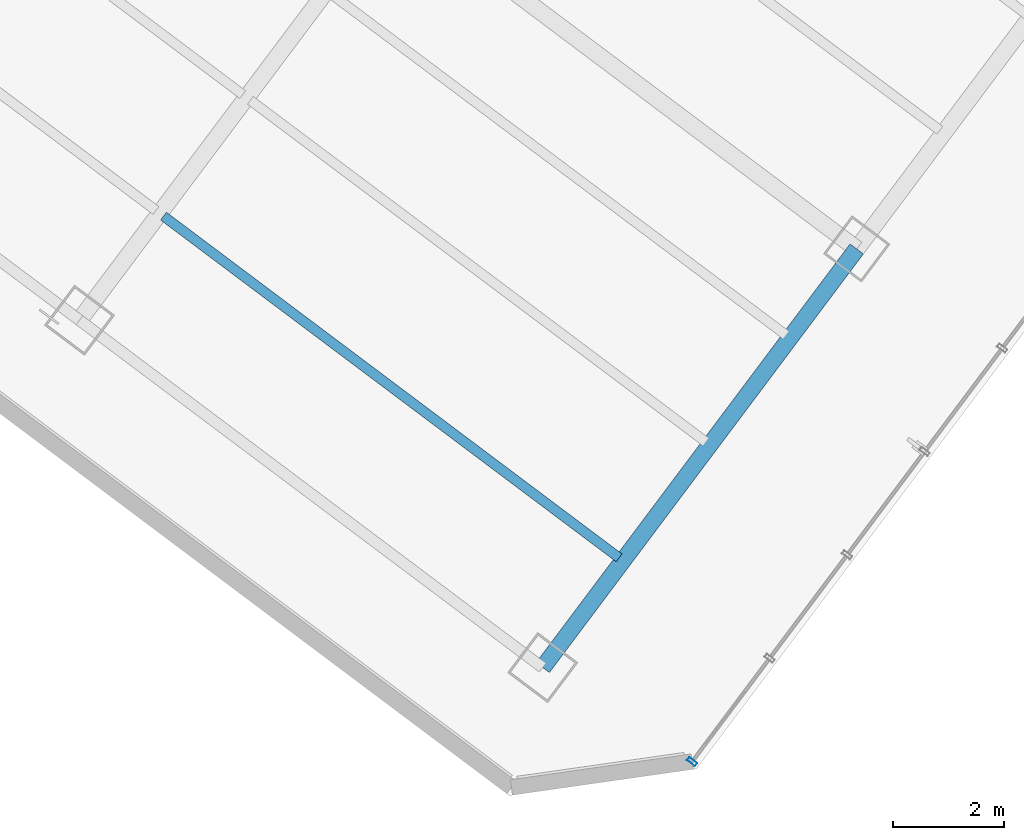
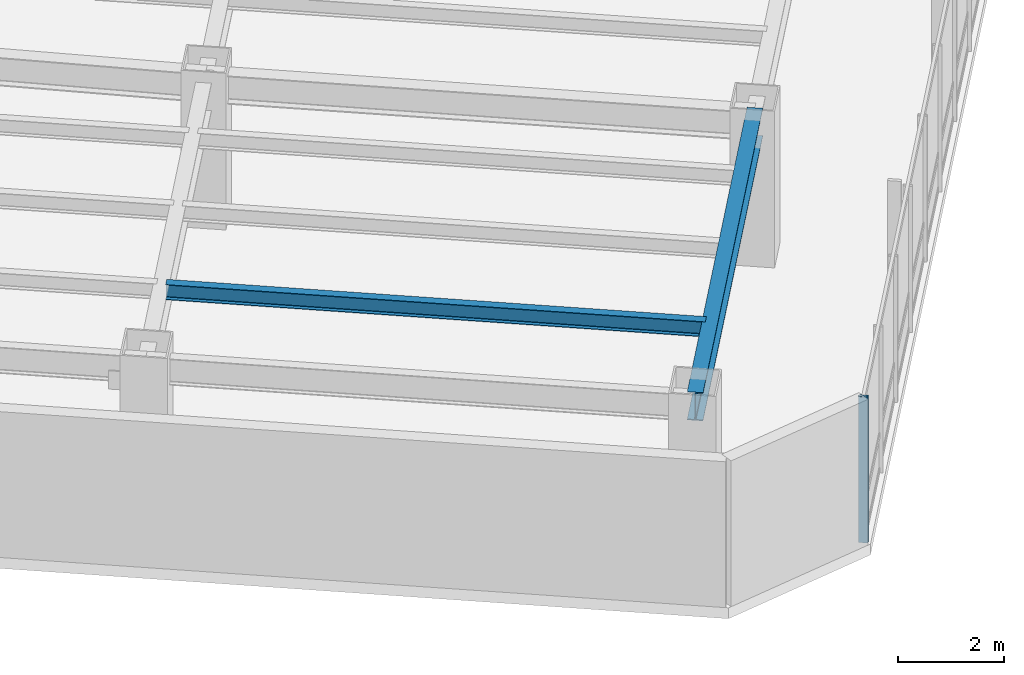
# One storey, part 6 of 29: 2 beams, 1 member, 1 element without a shape of its own.
"""IFC4 building model written with IfcOpenShell, lengths in metres."""

from ifc_helpers import new_model, si_unit, direction, frame, origin, origin_2d, place, context, subcontext, project, spatial, hollow_rectangle, i_section, extrude, material, layer, layer_set, material_profile, profile_set, type_object, element, aggregate, save


model = new_model("IFC4")

# Units and contexts
model_context = context("Model", 3, precision=1e-05, world=origin(), true_north=direction((0.0, 1.0)))
body_context = subcontext(model_context, "Body", "Model", "MODEL_VIEW")
ifc_project = project(units=[si_unit("LENGTHUNIT", "METRE"), si_unit("AREAUNIT", "SQUARE_METRE"), si_unit("VOLUMEUNIT", "CUBIC_METRE"), si_unit("PLANEANGLEUNIT", "RADIAN"), si_unit("MASSUNIT", "GRAM", prefix="KILO")], contexts=[model_context])

# Site, building, storey
site_placement = place(None, origin())
site = spatial("IfcSite", under=ifc_project, at=site_placement, CompositionType="ELEMENT")
building_placement = place(site_placement, origin())
building = spatial("IfcBuilding", under=site, at=building_placement, Name="Hatsunagi Terrace Concourse", CompositionType="ELEMENT")
storey_placement = place(building_placement, frame((0.0, 0.0, 104.85009765625)))
storey = spatial("IfcBuildingStorey", under=building, at=storey_placement, Name="L27", CompositionType="ELEMENT", Elevation=104.85009765625)

# Curtain wall, member
ifc_material_1 = material(Name="Anodised Aluminium Alloy 6063-T5", Category="aluminium")
ifc_layer = layer(ifc_material_1, 0.199951171875)
ifc_layer_set = layer_set([ifc_layer], Name="OfficeZone1_CW03")
curtain_wall_type = type_object("IfcCurtainWallType", Name="OfficeZone1_CW03", PredefinedType="NOTDEFINED", material=ifc_layer_set)
curtain_wall_placement = place(storey_placement, origin())
curtain_wall = element("IfcCurtainWall", 1, at=curtain_wall_placement, inside=storey, type_object=curtain_wall_type, Name="Unitised Curtain Wall CW-03 CW-L27-03", PredefinedType="NOTDEFINED")
ifc_material_2 = material(Name="Anodised Aluminium Alloy 6063-T5", Category="aluminium")
ifc_material_profile_1 = material_profile(ifc_material_2, hollow_rectangle(XDim=0.070068359375, YDim=0.179931640625, WallThickness=0.00390625, at=origin_2d()), Name="ALU-MUL-180x70x4")
ifc_profile_set_1 = profile_set([ifc_material_profile_1], Name="Anodised Aluminium Alloy 6063-T5")
member_type = type_object("IfcMemberType", Name="CurtainWallMullion_180x70", PredefinedType="MULLION", material=ifc_profile_set_1)
member_placement = place(storey_placement, frame((56.56298828125, 2.949951171875, 0.0), z_axis=(0.0, 0.0, 1.0), x_axis=(-0.599969314634, -0.800023013105, 0.0)))
member = element("IfcMember", 2, at=member_placement, type_object=member_type, Name="Curtain Wall Mullion MUL-02", PredefinedType="MULLION", context=body_context, shape_type="SweptSolid", body=[
    extrude(hollow_rectangle(XDim=0.070068359375, YDim=0.179931640625, WallThickness=0.00390625, at=origin_2d()), origin(), (0.0, 0.0, 1.0), 3.349853515625),
])
aggregate(curtain_wall, [member])

# Beams
ifc_material_3 = material(Name="Steel SN490B", Category="steel")
ifc_material_profile_2 = material_profile(ifc_material_3, i_section(OverallWidth=0.175048828125, OverallDepth=0.35009765625, WebThickness=0.007080078125, FlangeThickness=0.010986328125, FilletRadius=0.012939453125, at=origin_2d()), Name="H-350x175x7x11")
ifc_profile_set_2 = profile_set([ifc_material_profile_2], Name="Steel SN490B")
beam_type_1 = type_object("IfcBeamType", Name="HotelJoist_H_350x175", PredefinedType="JOIST", material=ifc_profile_set_2)
beam_1_placement = place(storey_placement, frame((47.068115234375, 12.7490234375, 3.1748046875), z_axis=(0.799997136125, -0.600003818481, 0.0), x_axis=(0.600003818481, 0.799997136125, 0.0)))
element("IfcBeam", 3, at=beam_1_placement, inside=storey, type_object=beam_type_1, Name="Beam J-02 J-L27-SE-3-46", PredefinedType="JOIST", context=body_context, shape_type="SweptSolid", body=[
    extrude(i_section(OverallWidth=0.175048828125, OverallDepth=0.35009765625, WebThickness=0.007080078125, FlangeThickness=0.010986328125, FilletRadius=0.012939453125, at=origin_2d()), origin(), (0.0, 0.0, 1.0), 10.229736328125),
])
ifc_material_4 = material(Name="Steel SN490B", Category="steel")
ifc_material_profile_3 = material_profile(ifc_material_4, i_section(OverallWidth=0.300048828125, OverallDepth=0.64990234375, WebThickness=0.012939453125, FlangeThickness=0.02197265625, FilletRadius=0.01806640625, at=origin_2d()), Name="H-650x300x13x22")
ifc_profile_set_3 = profile_set([ifc_material_profile_3], Name="Steel SN490B")
beam_type_2 = type_object("IfcBeamType", Name="OfficeLowGirder_H_650x300", PredefinedType="BEAM", material=ifc_profile_set_3)
beam_2_placement = place(storey_placement, frame((53.8798828125, 4.639892578125, 3.02490234375), z_axis=(0.600008311051, 0.799993766644, 0.0), x_axis=(-0.799993766644, 0.600008311051, 0.0)))
element("IfcBeam", 4, at=beam_2_placement, inside=storey, type_object=beam_type_2, Name="Beam G-05 BM-L27-SET-3A", PredefinedType="BEAM", context=body_context, shape_type="SweptSolid", body=[
    extrude(i_section(OverallWidth=0.300048828125, OverallDepth=0.64990234375, WebThickness=0.012939453125, FlangeThickness=0.02197265625, FilletRadius=0.01806640625, at=origin_2d()), origin(), (0.0, 0.0, 1.0), 9.400146484375),
])

save(model, "model.ifc")
